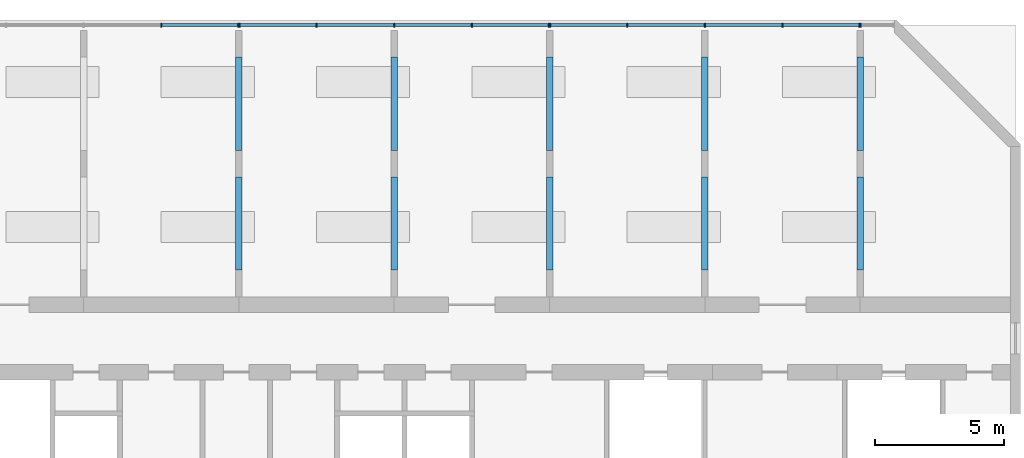
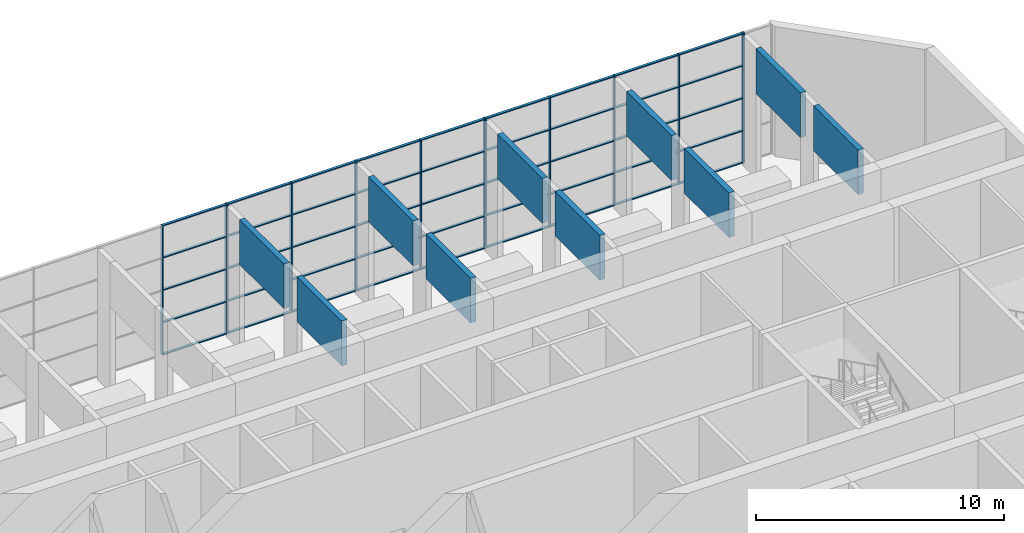
# One storey, part 2 of 13: 58 members, 10 beams, 4 elements without a shape of their own.
"""IFC4 building model written with IfcOpenShell, lengths in metres."""

import ifcopenshell
import ifcopenshell.guid

model = None  # the IFC model being written
_history = None  # IfcOwnerHistory: only IFC2X3 demands one
_inside = {}  # id of a spatial element -> (the spatial element, [elements in it])
_under = {}  # id of a project, library or spatial element -> (it, [spatial elements below it])
_declared = {}  # id of a project -> (the project, [libraries it declares])
_typed = {}  # id of a type object -> (the type object, [elements of that type])
_made_of = {}  # id of a material, layer set ... -> (it, [elements and type objects made of it])


def new_model(schema):
    """Start an empty IFC model of exactly this schema.

    Asked for "IFC4X3", IfcOpenShell would pick the latest addendum, in which some entities
    have other attributes; the version numbers below select the first issue.
    IFC2X3 requires an IfcOwnerHistory on every rooted entity: one is made here for all.
    """
    global model, _history
    if schema == "IFC4X3":
        model = ifcopenshell.file(schema_version=(4, 3, 0, 0))
    else:
        model = ifcopenshell.file(schema=schema)
    _inside.clear()
    _under.clear()
    _declared.clear()
    _typed.clear()
    _made_of.clear()
    _history = None
    if model.schema == "IFC2X3":
        org = make("IfcOrganization", Name="unknown")
        user = make(
            "IfcPersonAndOrganization",
            ThePerson=make("IfcPerson", FamilyName="unknown"),
            TheOrganization=org,
        )
        app = make(
            "IfcApplication",
            ApplicationDeveloper=org,
            Version="unknown",
            ApplicationFullName="unknown",
            ApplicationIdentifier="unknown",
        )
        _history = make(
            "IfcOwnerHistory",
            OwningUser=user,
            OwningApplication=app,
            ChangeAction="ADDED",
            CreationDate=0,
        )
    return model


def make(cls, **values):
    """One entity of the class cls with the attributes given. An attribute that is None is left unset."""
    return model.create_entity(
        cls, **{name: value for name, value in values.items() if value is not None}
    )


def rooted(cls, **values):
    """An entity with a GlobalId (a new one), such as an element, a storey or a relation."""
    return make(cls, GlobalId=ifcopenshell.guid.new(), OwnerHistory=_history, **values)


def si_unit(unit_type, name, prefix=None):
    """IfcSIUnit, for example si_unit("LENGTHUNIT", "METRE", prefix="MILLI")."""
    return make("IfcSIUnit", UnitType=unit_type, Prefix=prefix, Name=name)


def assignment(units):
    """IfcUnitAssignment: the units of a project."""
    return None if units is None else make("IfcUnitAssignment", Units=units)


def point(xyz):
    """IfcCartesianPoint."""
    return None if xyz is None else make("IfcCartesianPoint", Coordinates=xyz)


def direction(xyz):
    """IfcDirection."""
    return None if xyz is None else make("IfcDirection", DirectionRatios=xyz)


def frame(location, z_axis=None, x_axis=None):
    """IfcAxis2Placement3D, a coordinate frame: its origin and axes. An axis left out is left unset."""
    return make(
        "IfcAxis2Placement3D",
        Location=point(location),
        Axis=direction(z_axis),
        RefDirection=direction(x_axis),
    )


def frame_2d(location, x_axis=None):
    """IfcAxis2Placement2D, a coordinate frame in the plane: its origin and x axis."""
    return make(
        "IfcAxis2Placement2D", Location=point(location), RefDirection=direction(x_axis)
    )


def origin():
    """The frame at (0, 0, 0) with its axes left unset."""
    return frame((0.0, 0.0, 0.0))


def origin_2d():
    """The frame at (0, 0) in the plane with its x axis left unset."""
    return frame_2d((0.0, 0.0))


def place(relative_to, where):
    """IfcLocalPlacement: puts the frame where relative to a parent placement (None: the world)."""
    return make(
        "IfcLocalPlacement", PlacementRelTo=relative_to, RelativePlacement=where
    )


def context(
    kind, dimensions, precision=None, world=None, true_north=None, identifier=None
):
    """IfcGeometricRepresentationContext, for example the 3D "Model" context."""
    return make(
        "IfcGeometricRepresentationContext",
        ContextIdentifier=identifier,
        ContextType=kind,
        CoordinateSpaceDimension=dimensions,
        Precision=precision,
        WorldCoordinateSystem=world,
        TrueNorth=true_north,
    )


def subcontext(parent, identifier, kind, view, scale=None):
    """IfcGeometricRepresentationSubContext, for example "Body" below "Model"."""
    return make(
        "IfcGeometricRepresentationSubContext",
        ContextIdentifier=identifier,
        ContextType=kind,
        ParentContext=parent,
        TargetScale=scale,
        TargetView=view,
    )


def project(units=None, contexts=None):
    """IfcProject with its units and contexts."""
    return rooted(
        "IfcProject",
        Name="project",
        RepresentationContexts=contexts,
        UnitsInContext=assignment(units),
    )


def spatial(cls, under=None, at=None, **own):
    """A site, building, storey or space (cls), placed at a placement, below another one or the project."""
    s = rooted(cls, ObjectPlacement=at, **own)
    if under is not None:
        _under.setdefault(under.id(), (under, []))[1].append(s)
    return s


def profile(cls, at=None, kind="AREA", **sizes):
    """A parametric profile (cls). Its sizes go by their IFC names, for example OverallWidth=200.0."""
    return make(cls, ProfileType=kind, Position=at, **sizes)


def rectangle(**sizes):
    """IfcRectangleProfileDef."""
    return profile("IfcRectangleProfileDef", **sizes)


def extrude(swept, where, along, depth):
    """IfcExtrudedAreaSolid: the profile swept, set in the frame where, extruded along a direction by depth."""
    return make(
        "IfcExtrudedAreaSolid",
        SweptArea=swept,
        Position=where,
        ExtrudedDirection=direction(along),
        Depth=depth,
    )


def shape(context_of_items, identifier, shape_type, items):
    """IfcShapeRepresentation: the items that make up one representation, for example the "Body"."""
    return make(
        "IfcShapeRepresentation",
        ContextOfItems=context_of_items,
        RepresentationIdentifier=identifier,
        RepresentationType=shape_type,
        Items=items,
    )


def source(mapping_origin, context_of_items, identifier, shape_type, items):
    """IfcRepresentationMap: a shape defined once, which mapped items show again and again."""
    return make(
        "IfcRepresentationMap",
        MappingOrigin=mapping_origin,
        MappedRepresentation=shape(context_of_items, identifier, shape_type, items),
    )


def transform(
    local_origin,
    x_axis=None,
    y_axis=None,
    z_axis=None,
    scale=None,
    scale2=None,
    scale3=None,
    uniform=True,
):
    """IfcCartesianTransformationOperator3D, or its non-uniform kind. x_axis, y_axis, z_axis: its Axis1, 2, 3."""
    if uniform:
        return make(
            "IfcCartesianTransformationOperator3D",
            Axis1=direction(x_axis),
            Axis2=direction(y_axis),
            LocalOrigin=point(local_origin),
            Scale=scale,
            Axis3=direction(z_axis),
        )
    return make(
        "IfcCartesianTransformationOperator3DnonUniform",
        Axis1=direction(x_axis),
        Axis2=direction(y_axis),
        LocalOrigin=point(local_origin),
        Scale=scale,
        Axis3=direction(z_axis),
        Scale2=scale2,
        Scale3=scale3,
    )


def mapped(mapping_source, mapping_target):
    """IfcMappedItem: shows the shape of a source again, moved by a transform."""
    return make(
        "IfcMappedItem", MappingSource=mapping_source, MappingTarget=mapping_target
    )


def material(Name=None, Category=None):
    """IfcMaterial."""
    return make("IfcMaterial", Name=Name, Category=Category)


def layer(
    of_material, thickness, ventilated=None, Name=None, Category=None, Priority=None
):
    """IfcMaterialLayer: one layer of a wall or slab, of a material (None: an air gap)."""
    return make(
        "IfcMaterialLayer",
        Material=of_material,
        LayerThickness=thickness,
        IsVentilated=ventilated,
        Name=Name,
        Category=Category,
        Priority=Priority,
    )


def layer_set(layers, Name=None):
    """IfcMaterialLayerSet."""
    return make("IfcMaterialLayerSet", MaterialLayers=layers, LayerSetName=Name)


def material_profile(
    of_material, cross_section, Name=None, Category=None, Priority=None
):
    """IfcMaterialProfile: a cross section and its material."""
    return make(
        "IfcMaterialProfile",
        Name=Name,
        Material=of_material,
        Profile=cross_section,
        Priority=Priority,
        Category=Category,
    )


def profile_set(profiles, Name=None, composite=None):
    """IfcMaterialProfileSet."""
    return make(
        "IfcMaterialProfileSet",
        Name=Name,
        MaterialProfiles=profiles,
        CompositeProfile=composite,
    )


def made_of(thing, what):
    """Note that an element or type object is made of a material, layer set ...; save() writes the relation."""
    if what is not None:
        _made_of.setdefault(what.id(), (what, []))[1].append(thing)
    return thing


def type_object(cls, material=None, **own):
    """A type object (cls), such as IfcWallType, which elements share."""
    return made_of(rooted(cls, **own), material)


def element(
    cls,
    number,
    at=None,
    inside=None,
    cuts=None,
    type_object=None,
    material=None,
    context=None,
    identifier="Body",
    shape_type=None,
    held_by="IfcProductDefinitionShape",
    body=None,
    shapes=None,
    **own,
):
    """One element of the class cls, such as IfcWall. Its Tag is "e" and its number.

    at: its placement. inside: the storey or other place that contains it. cuts: it is an
    opening in that element (IfcRelVoidsElement). A single representation is given by context,
    identifier, shape_type and body (its items); several are given by shapes. held_by: the class
    of the entity that holds the representations. save() writes the other relations.
    """
    e = rooted(cls, Tag="e%d" % number, ObjectPlacement=at, **own)
    if body is not None:
        shapes = [shape(context, identifier, shape_type, body)]
    if shapes is not None:
        e.Representation = make(held_by, Representations=shapes)
    if inside is not None:
        _inside.setdefault(inside.id(), (inside, []))[1].append(e)
    if cuts is not None:
        rooted(
            "IfcRelVoidsElement", RelatingBuildingElement=cuts, RelatedOpeningElement=e
        )
    if type_object is not None:
        _typed.setdefault(type_object.id(), (type_object, []))[1].append(e)
    return made_of(e, material)


def aggregate(whole, parts):
    """IfcRelAggregates: a whole, such as a stair, and the parts it consists of."""
    return rooted("IfcRelAggregates", RelatingObject=whole, RelatedObjects=parts)


def save(model, path):
    """Write the relations noted so far, then the file.

    IfcRelAggregates (storeys below a building ...), IfcRelContainedInSpatialStructure (elements
    in a storey), IfcRelDefinesByType, IfcRelAssociatesMaterial and IfcRelDeclares: one each for
    every whole, place, type object, material and project.
    """
    for whole, parts in _under.values():
        aggregate(whole, parts)
    for where, things in _inside.values():
        rooted(
            "IfcRelContainedInSpatialStructure",
            RelatedElements=things,
            RelatingStructure=where,
        )
    for kind, things in _typed.values():
        rooted("IfcRelDefinesByType", RelatedObjects=things, RelatingType=kind)
    for what, things in _made_of.values():
        rooted("IfcRelAssociatesMaterial", RelatedObjects=things, RelatingMaterial=what)
    for by, libraries in _declared.values():
        rooted("IfcRelDeclares", RelatingContext=by, RelatedDefinitions=libraries)
    model.write(path)


model = new_model("IFC4")

# Units and contexts
model_context = context("Model", 3, precision=1e-05, world=origin(), true_north=direction((0.0, 1.0)))
body_context = subcontext(model_context, "Body", "Model", "MODEL_VIEW")
ifc_project = project(units=[si_unit("LENGTHUNIT", "METRE"), si_unit("AREAUNIT", "SQUARE_METRE"), si_unit("VOLUMEUNIT", "CUBIC_METRE"), si_unit("PLANEANGLEUNIT", "RADIAN"), si_unit("MASSUNIT", "GRAM", prefix="KILO")], contexts=[model_context])

# Site, building, storey
site_placement = place(None, origin())
site = spatial("IfcSite", under=ifc_project, at=site_placement, CompositionType="ELEMENT")
building_placement = place(site_placement, origin())
building = spatial("IfcBuilding", under=site, at=building_placement, Name="Poui Terraces", CompositionType="ELEMENT")
storey_placement = place(building_placement, frame((0.0, 0.0, 214.800048828125)))
storey = spatial("IfcBuildingStorey", under=building, at=storey_placement, Name="L60", CompositionType="ELEMENT", Elevation=214.800048828125)

# Curtain wall, members
ifc_material_1 = material(Name="Clear glass", Category="glass")
ifc_layer = layer(ifc_material_1, 0.159912109375)
ifc_layer_set = layer_set([ifc_layer], Name="Clear glass")
curtain_wall_type = type_object("IfcCurtainWallType", Name="CURTAIN WALL CW-D SKY GARDEN GLAZING", PredefinedType="NOTDEFINED", material=ifc_layer_set)
curtain_wall_1_placement = place(storey_placement, origin())
curtain_wall_1 = element("IfcCurtainWall", 1, at=curtain_wall_1_placement, inside=storey, type_object=curtain_wall_type, Name="CW-D SKY GARDEN GLAZING", PredefinedType="NOTDEFINED")
ifc_material_2 = material(Name="Aluminium frame", Category="aluminium")
ifc_material_profile_1 = material_profile(ifc_material_2, rectangle(XDim=0.159912109375, YDim=0.050048828125, at=origin_2d()), Name="CW-D MULLION 50X160")
ifc_profile_set_1 = profile_set([ifc_material_profile_1], Name="Aluminium frame")
member_type_1 = type_object("IfcMemberType", Name="CW-D MULLION 50X160", PredefinedType="MULLION", material=ifc_profile_set_1)
member_1_placement = place(storey_placement, frame((53.97509765625, 41.199951171875, 0.0), z_axis=(0.0, 0.0, 1.0), x_axis=(0.0, -1.0, 0.0)))
member_1 = element("IfcMember", 2, at=member_1_placement, type_object=member_type_1, Name="CW-D mullion 1", PredefinedType="MULLION", context=body_context, shape_type="SweptSolid", body=[
    extrude(rectangle(XDim=0.159912109375, YDim=0.050048828125, at=origin_2d()), origin(), (0.0, 0.0, 1.0), 6.3798828125),
])
member_2_placement = place(storey_placement, frame((51.0, 41.199951171875, 0.0), z_axis=(0.0, 0.0, 1.0), x_axis=(0.0, -1.0, 0.0)))
member_2 = element("IfcMember", 3, at=member_2_placement, type_object=member_type_1, Name="CW-D mullion 2", PredefinedType="MULLION", context=body_context, shape_type="SweptSolid", body=[
    extrude(rectangle(XDim=0.159912109375, YDim=0.050048828125, at=origin_2d()), origin(), (0.0, 0.0, 1.0), 6.3798828125),
])

curtain_wall_2_placement = place(storey_placement, origin())
curtain_wall_2 = element("IfcCurtainWall", 4, at=curtain_wall_2_placement, inside=storey, type_object=curtain_wall_type, Name="CW-D SKY GARDEN GLAZING", PredefinedType="NOTDEFINED")
member_3_placement = place(storey_placement, frame((65.97509765625, 41.199951171875, 0.0), z_axis=(0.0, 0.0, 1.0), x_axis=(0.0, -1.0, 0.0)))
member_3 = element("IfcMember", 5, at=member_3_placement, type_object=member_type_1, Name="CW-D mullion 1", PredefinedType="MULLION", context=body_context, shape_type="SweptSolid", body=[
    extrude(rectangle(XDim=0.159912109375, YDim=0.050048828125, at=origin_2d()), origin(), (0.0, 0.0, 1.0), 6.3798828125),
])
member_4_placement = place(storey_placement, frame((63.0, 41.199951171875, 0.0), z_axis=(0.0, 0.0, 1.0), x_axis=(0.0, -1.0, 0.0)))
member_4 = element("IfcMember", 6, at=member_4_placement, type_object=member_type_1, Name="CW-D mullion 2", PredefinedType="MULLION", context=body_context, shape_type="SweptSolid", body=[
    extrude(rectangle(XDim=0.159912109375, YDim=0.050048828125, at=origin_2d()), origin(), (0.0, 0.0, 1.0), 6.3798828125),
])
member_5_placement = place(storey_placement, frame((60.0, 41.199951171875, 0.0), z_axis=(0.0, 0.0, 1.0), x_axis=(0.0, -1.0, 0.0)))
member_5 = element("IfcMember", 7, at=member_5_placement, type_object=member_type_1, Name="CW-D mullion 3", PredefinedType="MULLION", context=body_context, shape_type="SweptSolid", body=[
    extrude(rectangle(XDim=0.159912109375, YDim=0.050048828125, at=origin_2d()), origin(), (0.0, 0.0, 1.0), 6.3798828125),
])
member_6_placement = place(storey_placement, frame((57.0, 41.199951171875, 0.0), z_axis=(0.0, 0.0, 1.0), x_axis=(0.0, -1.0, 0.0)))
member_6 = element("IfcMember", 8, at=member_6_placement, type_object=member_type_1, Name="CW-D mullion 4", PredefinedType="MULLION", context=body_context, shape_type="SweptSolid", body=[
    extrude(rectangle(XDim=0.159912109375, YDim=0.050048828125, at=origin_2d()), origin(), (0.0, 0.0, 1.0), 6.3798828125),
])
member_7_placement = place(storey_placement, frame((54.02490234375, 41.199951171875, 0.0), z_axis=(0.0, 0.0, 1.0), x_axis=(0.0, -1.0, 0.0)))
member_7 = element("IfcMember", 9, at=member_7_placement, type_object=member_type_1, Name="CW-D mullion 5", PredefinedType="MULLION", context=body_context, shape_type="SweptSolid", body=[
    extrude(rectangle(XDim=0.159912109375, YDim=0.050048828125, at=origin_2d()), origin(), (0.0, 0.0, 1.0), 6.3798828125),
])

curtain_wall_3_placement = place(storey_placement, origin())
curtain_wall_3 = element("IfcCurtainWall", 10, at=curtain_wall_3_placement, inside=storey, type_object=curtain_wall_type, Name="CW-D SKY GARDEN GLAZING", PredefinedType="NOTDEFINED")
member_8_placement = place(storey_placement, frame((77.97509765625, 41.199951171875, 0.0), z_axis=(0.0, 0.0, 1.0), x_axis=(0.0, -1.0, 0.0)))
member_8 = element("IfcMember", 11, at=member_8_placement, type_object=member_type_1, Name="CW-D mullion 1", PredefinedType="MULLION", context=body_context, shape_type="SweptSolid", body=[
    extrude(rectangle(XDim=0.159912109375, YDim=0.050048828125, at=origin_2d()), origin(), (0.0, 0.0, 1.0), 6.3798828125),
])
member_9_placement = place(storey_placement, frame((75.0, 41.199951171875, 0.0), z_axis=(0.0, 0.0, 1.0), x_axis=(0.0, -1.0, 0.0)))
member_9 = element("IfcMember", 12, at=member_9_placement, type_object=member_type_1, Name="CW-D mullion 2", PredefinedType="MULLION", context=body_context, shape_type="SweptSolid", body=[
    extrude(rectangle(XDim=0.159912109375, YDim=0.050048828125, at=origin_2d()), origin(), (0.0, 0.0, 1.0), 6.3798828125),
])
member_10_placement = place(storey_placement, frame((72.0, 41.199951171875, 0.0), z_axis=(0.0, 0.0, 1.0), x_axis=(0.0, -1.0, 0.0)))
member_10 = element("IfcMember", 13, at=member_10_placement, type_object=member_type_1, Name="CW-D mullion 3", PredefinedType="MULLION", context=body_context, shape_type="SweptSolid", body=[
    extrude(rectangle(XDim=0.159912109375, YDim=0.050048828125, at=origin_2d()), origin(), (0.0, 0.0, 1.0), 6.3798828125),
])
member_11_placement = place(storey_placement, frame((69.0, 41.199951171875, 0.0), z_axis=(0.0, 0.0, 1.0), x_axis=(0.0, -1.0, 0.0)))
member_11 = element("IfcMember", 14, at=member_11_placement, type_object=member_type_1, Name="CW-D mullion 4", PredefinedType="MULLION", context=body_context, shape_type="SweptSolid", body=[
    extrude(rectangle(XDim=0.159912109375, YDim=0.050048828125, at=origin_2d()), origin(), (0.0, 0.0, 1.0), 6.3798828125),
])
member_12_placement = place(storey_placement, frame((66.02490234375, 41.199951171875, 0.0), z_axis=(0.0, 0.0, 1.0), x_axis=(0.0, -1.0, 0.0)))
member_12 = element("IfcMember", 15, at=member_12_placement, type_object=member_type_1, Name="CW-D mullion 5", PredefinedType="MULLION", context=body_context, shape_type="SweptSolid", body=[
    extrude(rectangle(XDim=0.159912109375, YDim=0.050048828125, at=origin_2d()), origin(), (0.0, 0.0, 1.0), 6.3798828125),
])

# Curtain wall, member
curtain_wall_4_placement = place(storey_placement, origin())
curtain_wall_4 = element("IfcCurtainWall", 16, at=curtain_wall_4_placement, inside=storey, type_object=curtain_wall_type, Name="CW-D SKY GARDEN GLAZING", PredefinedType="NOTDEFINED")
member_13_placement = place(storey_placement, frame((78.02490234375, 41.199951171875, 0.0), z_axis=(0.0, 0.0, 1.0), x_axis=(0.0, -1.0, 0.0)))
member_13 = element("IfcMember", 17, at=member_13_placement, type_object=member_type_1, Name="CW-D mullion 2", PredefinedType="MULLION", context=body_context, shape_type="SweptSolid", body=[
    extrude(rectangle(XDim=0.159912109375, YDim=0.050048828125, at=origin_2d()), origin(), (0.0, 0.0, 1.0), 6.3798828125),
])
aggregate(curtain_wall_4, [member_13])

# Member
ifc_material_profile_2 = material_profile(ifc_material_2, rectangle(XDim=0.1201171875, YDim=0.050048828125, at=origin_2d()), Name="CW-D TRANSOM 50X120")
ifc_profile_set_2 = profile_set([ifc_material_profile_2], Name="Aluminium frame")
member_type_2 = type_object("IfcMemberType", Name="CW-D TRANSOM 50X120", PredefinedType="USERDEFINED", material=ifc_profile_set_2)
member_14_placement = place(storey_placement, frame((53.949951171875, 41.199951171875, 0.02490234375), z_axis=(-1.0, 0.0, 0.0), x_axis=(0.0, -1.0, 0.0)))
member_14 = element("IfcMember", 18, at=member_14_placement, type_object=member_type_2, Name="CW-D transom 1.1", ObjectType="TRANSOM", PredefinedType="USERDEFINED", context=body_context, shape_type="SweptSolid", body=[
    extrude(rectangle(XDim=0.1201171875, YDim=0.050048828125, at=origin_2d()), origin(), (0.0, 0.0, 1.0), 2.925048828125),
])

member_15_placement = place(storey_placement, frame((53.949951171875, 41.199951171875, 1.594970703125), z_axis=(-1.0, 0.0, 0.0), x_axis=(0.0, -1.0, 0.0)))
member_15 = element("IfcMember", 19, at=member_15_placement, type_object=member_type_2, Name="CW-D transom 1.2", ObjectType="TRANSOM", PredefinedType="USERDEFINED", context=body_context, shape_type="SweptSolid", body=[
    extrude(rectangle(XDim=0.1201171875, YDim=0.050048828125, at=origin_2d()), origin(), (0.0, 0.0, 1.0), 2.925048828125),
])

member_16_placement = place(storey_placement, frame((53.949951171875, 41.199951171875, 3.18994140625), z_axis=(-1.0, 0.0, 0.0), x_axis=(0.0, -1.0, 0.0)))
member_16 = element("IfcMember", 20, at=member_16_placement, type_object=member_type_2, Name="CW-D transom 1.3", ObjectType="TRANSOM", PredefinedType="USERDEFINED", context=body_context, shape_type="SweptSolid", body=[
    extrude(rectangle(XDim=0.1201171875, YDim=0.050048828125, at=origin_2d()), origin(), (0.0, 0.0, 1.0), 2.925048828125),
])

member_17_placement = place(storey_placement, frame((53.949951171875, 41.199951171875, 4.784912109375), z_axis=(-1.0, 0.0, 0.0), x_axis=(0.0, -1.0, 0.0)))
member_17 = element("IfcMember", 21, at=member_17_placement, type_object=member_type_2, Name="CW-D transom 1.4", ObjectType="TRANSOM", PredefinedType="USERDEFINED", context=body_context, shape_type="SweptSolid", body=[
    extrude(rectangle(XDim=0.1201171875, YDim=0.050048828125, at=origin_2d()), origin(), (0.0, 0.0, 1.0), 2.925048828125),
])

member_18_placement = place(storey_placement, frame((53.949951171875, 41.199951171875, 6.35498046875), z_axis=(-1.0, 0.0, 0.0), x_axis=(0.0, -1.0, 0.0)))
member_18 = element("IfcMember", 22, at=member_18_placement, type_object=member_type_2, Name="CW-D transom 1.5", ObjectType="TRANSOM", PredefinedType="USERDEFINED", context=body_context, shape_type="SweptSolid", body=[
    extrude(rectangle(XDim=0.1201171875, YDim=0.050048828125, at=origin_2d()), origin(), (0.0, 0.0, 1.0), 2.925048828125),
])

aggregate(curtain_wall_1, [member_1, member_2, member_14, member_15, member_16, member_17, member_18])

member_19_placement = place(storey_placement, frame((65.949951171875, 41.199951171875, 0.02490234375), z_axis=(-1.0, 0.0, 0.0), x_axis=(0.0, -1.0, 0.0)))
member_19 = element("IfcMember", 23, at=member_19_placement, type_object=member_type_2, Name="CW-D transom 1.1", ObjectType="TRANSOM", PredefinedType="USERDEFINED", context=body_context, shape_type="SweptSolid", body=[
    extrude(rectangle(XDim=0.1201171875, YDim=0.050048828125, at=origin_2d()), origin(), (0.0, 0.0, 1.0), 2.925048828125),
])

member_20_placement = place(storey_placement, frame((65.949951171875, 41.199951171875, 1.594970703125), z_axis=(-1.0, 0.0, 0.0), x_axis=(0.0, -1.0, 0.0)))
member_20 = element("IfcMember", 24, at=member_20_placement, type_object=member_type_2, Name="CW-D transom 1.2", ObjectType="TRANSOM", PredefinedType="USERDEFINED", context=body_context, shape_type="SweptSolid", body=[
    extrude(rectangle(XDim=0.1201171875, YDim=0.050048828125, at=origin_2d()), origin(), (0.0, 0.0, 1.0), 2.925048828125),
])

member_21_placement = place(storey_placement, frame((65.949951171875, 41.199951171875, 3.18994140625), z_axis=(-1.0, 0.0, 0.0), x_axis=(0.0, -1.0, 0.0)))
member_21 = element("IfcMember", 25, at=member_21_placement, type_object=member_type_2, Name="CW-D transom 1.3", ObjectType="TRANSOM", PredefinedType="USERDEFINED", context=body_context, shape_type="SweptSolid", body=[
    extrude(rectangle(XDim=0.1201171875, YDim=0.050048828125, at=origin_2d()), origin(), (0.0, 0.0, 1.0), 2.925048828125),
])

member_22_placement = place(storey_placement, frame((65.949951171875, 41.199951171875, 4.784912109375), z_axis=(-1.0, 0.0, 0.0), x_axis=(0.0, -1.0, 0.0)))
member_22 = element("IfcMember", 26, at=member_22_placement, type_object=member_type_2, Name="CW-D transom 1.4", ObjectType="TRANSOM", PredefinedType="USERDEFINED", context=body_context, shape_type="SweptSolid", body=[
    extrude(rectangle(XDim=0.1201171875, YDim=0.050048828125, at=origin_2d()), origin(), (0.0, 0.0, 1.0), 2.925048828125),
])

member_23_placement = place(storey_placement, frame((65.949951171875, 41.199951171875, 6.35498046875), z_axis=(-1.0, 0.0, 0.0), x_axis=(0.0, -1.0, 0.0)))
member_23 = element("IfcMember", 27, at=member_23_placement, type_object=member_type_2, Name="CW-D transom 1.5", ObjectType="TRANSOM", PredefinedType="USERDEFINED", context=body_context, shape_type="SweptSolid", body=[
    extrude(rectangle(XDim=0.1201171875, YDim=0.050048828125, at=origin_2d()), origin(), (0.0, 0.0, 1.0), 2.925048828125),
])

member_24_placement = place(storey_placement, frame((62.97509765625, 41.199951171875, 0.02490234375), z_axis=(-1.0, 0.0, 0.0), x_axis=(0.0, -1.0, 0.0)))
member_24 = element("IfcMember", 28, at=member_24_placement, type_object=member_type_2, Name="CW-D transom 2.1", ObjectType="TRANSOM", PredefinedType="USERDEFINED", context=body_context, shape_type="SweptSolid", body=[
    extrude(rectangle(XDim=0.1201171875, YDim=0.050048828125, at=origin_2d()), origin(), (0.0, 0.0, 1.0), 2.9501953125),
])

member_25_placement = place(storey_placement, frame((62.97509765625, 41.199951171875, 1.594970703125), z_axis=(-1.0, 0.0, 0.0), x_axis=(0.0, -1.0, 0.0)))
member_25 = element("IfcMember", 29, at=member_25_placement, type_object=member_type_2, Name="CW-D transom 2.2", ObjectType="TRANSOM", PredefinedType="USERDEFINED", context=body_context, shape_type="SweptSolid", body=[
    extrude(rectangle(XDim=0.1201171875, YDim=0.050048828125, at=origin_2d()), origin(), (0.0, 0.0, 1.0), 2.9501953125),
])

member_26_placement = place(storey_placement, frame((62.97509765625, 41.199951171875, 3.18994140625), z_axis=(-1.0, 0.0, 0.0), x_axis=(0.0, -1.0, 0.0)))
member_26 = element("IfcMember", 30, at=member_26_placement, type_object=member_type_2, Name="CW-D transom 2.3", ObjectType="TRANSOM", PredefinedType="USERDEFINED", context=body_context, shape_type="SweptSolid", body=[
    extrude(rectangle(XDim=0.1201171875, YDim=0.050048828125, at=origin_2d()), origin(), (0.0, 0.0, 1.0), 2.9501953125),
])

member_27_placement = place(storey_placement, frame((62.97509765625, 41.199951171875, 4.784912109375), z_axis=(-1.0, 0.0, 0.0), x_axis=(0.0, -1.0, 0.0)))
member_27 = element("IfcMember", 31, at=member_27_placement, type_object=member_type_2, Name="CW-D transom 2.4", ObjectType="TRANSOM", PredefinedType="USERDEFINED", context=body_context, shape_type="SweptSolid", body=[
    extrude(rectangle(XDim=0.1201171875, YDim=0.050048828125, at=origin_2d()), origin(), (0.0, 0.0, 1.0), 2.9501953125),
])

member_28_placement = place(storey_placement, frame((62.97509765625, 41.199951171875, 6.35498046875), z_axis=(-1.0, 0.0, 0.0), x_axis=(0.0, -1.0, 0.0)))
member_28 = element("IfcMember", 32, at=member_28_placement, type_object=member_type_2, Name="CW-D transom 2.5", ObjectType="TRANSOM", PredefinedType="USERDEFINED", context=body_context, shape_type="SweptSolid", body=[
    extrude(rectangle(XDim=0.1201171875, YDim=0.050048828125, at=origin_2d()), origin(), (0.0, 0.0, 1.0), 2.9501953125),
])

member_29_placement = place(storey_placement, frame((59.97509765625, 41.199951171875, 0.02490234375), z_axis=(-1.0, 0.0, 0.0), x_axis=(0.0, -1.0, 0.0)))
member_29 = element("IfcMember", 33, at=member_29_placement, type_object=member_type_2, Name="CW-D transom 3.1", ObjectType="TRANSOM", PredefinedType="USERDEFINED", context=body_context, shape_type="SweptSolid", body=[
    extrude(rectangle(XDim=0.1201171875, YDim=0.050048828125, at=origin_2d()), origin(), (0.0, 0.0, 1.0), 2.9501953125),
])

member_30_placement = place(storey_placement, frame((59.97509765625, 41.199951171875, 1.594970703125), z_axis=(-1.0, 0.0, 0.0), x_axis=(0.0, -1.0, 0.0)))
member_30 = element("IfcMember", 34, at=member_30_placement, type_object=member_type_2, Name="CW-D transom 3.2", ObjectType="TRANSOM", PredefinedType="USERDEFINED", context=body_context, shape_type="SweptSolid", body=[
    extrude(rectangle(XDim=0.1201171875, YDim=0.050048828125, at=origin_2d()), origin(), (0.0, 0.0, 1.0), 2.9501953125),
])

member_31_placement = place(storey_placement, frame((59.97509765625, 41.199951171875, 3.18994140625), z_axis=(-1.0, 0.0, 0.0), x_axis=(0.0, -1.0, 0.0)))
member_31 = element("IfcMember", 35, at=member_31_placement, type_object=member_type_2, Name="CW-D transom 3.3", ObjectType="TRANSOM", PredefinedType="USERDEFINED", context=body_context, shape_type="SweptSolid", body=[
    extrude(rectangle(XDim=0.1201171875, YDim=0.050048828125, at=origin_2d()), origin(), (0.0, 0.0, 1.0), 2.9501953125),
])

member_32_placement = place(storey_placement, frame((59.97509765625, 41.199951171875, 4.784912109375), z_axis=(-1.0, 0.0, 0.0), x_axis=(0.0, -1.0, 0.0)))
member_32 = element("IfcMember", 36, at=member_32_placement, type_object=member_type_2, Name="CW-D transom 3.4", ObjectType="TRANSOM", PredefinedType="USERDEFINED", context=body_context, shape_type="SweptSolid", body=[
    extrude(rectangle(XDim=0.1201171875, YDim=0.050048828125, at=origin_2d()), origin(), (0.0, 0.0, 1.0), 2.9501953125),
])

member_33_placement = place(storey_placement, frame((59.97509765625, 41.199951171875, 6.35498046875), z_axis=(-1.0, 0.0, 0.0), x_axis=(0.0, -1.0, 0.0)))
member_33 = element("IfcMember", 37, at=member_33_placement, type_object=member_type_2, Name="CW-D transom 3.5", ObjectType="TRANSOM", PredefinedType="USERDEFINED", context=body_context, shape_type="SweptSolid", body=[
    extrude(rectangle(XDim=0.1201171875, YDim=0.050048828125, at=origin_2d()), origin(), (0.0, 0.0, 1.0), 2.9501953125),
])

member_34_placement = place(storey_placement, frame((56.97509765625, 41.199951171875, 0.02490234375), z_axis=(-1.0, 0.0, 0.0), x_axis=(0.0, -1.0, 0.0)))
member_34 = element("IfcMember", 38, at=member_34_placement, type_object=member_type_2, Name="CW-D transom 4.1", ObjectType="TRANSOM", PredefinedType="USERDEFINED", context=body_context, shape_type="SweptSolid", body=[
    extrude(rectangle(XDim=0.1201171875, YDim=0.050048828125, at=origin_2d()), origin(), (0.0, 0.0, 1.0), 2.925048828125),
])

member_35_placement = place(storey_placement, frame((56.97509765625, 41.199951171875, 1.594970703125), z_axis=(-1.0, 0.0, 0.0), x_axis=(0.0, -1.0, 0.0)))
member_35 = element("IfcMember", 39, at=member_35_placement, type_object=member_type_2, Name="CW-D transom 4.2", ObjectType="TRANSOM", PredefinedType="USERDEFINED", context=body_context, shape_type="SweptSolid", body=[
    extrude(rectangle(XDim=0.1201171875, YDim=0.050048828125, at=origin_2d()), origin(), (0.0, 0.0, 1.0), 2.925048828125),
])

member_36_placement = place(storey_placement, frame((56.97509765625, 41.199951171875, 3.18994140625), z_axis=(-1.0, 0.0, 0.0), x_axis=(0.0, -1.0, 0.0)))
member_36 = element("IfcMember", 40, at=member_36_placement, type_object=member_type_2, Name="CW-D transom 4.3", ObjectType="TRANSOM", PredefinedType="USERDEFINED", context=body_context, shape_type="SweptSolid", body=[
    extrude(rectangle(XDim=0.1201171875, YDim=0.050048828125, at=origin_2d()), origin(), (0.0, 0.0, 1.0), 2.925048828125),
])

member_37_placement = place(storey_placement, frame((56.97509765625, 41.199951171875, 4.784912109375), z_axis=(-1.0, 0.0, 0.0), x_axis=(0.0, -1.0, 0.0)))
member_37 = element("IfcMember", 41, at=member_37_placement, type_object=member_type_2, Name="CW-D transom 4.4", ObjectType="TRANSOM", PredefinedType="USERDEFINED", context=body_context, shape_type="SweptSolid", body=[
    extrude(rectangle(XDim=0.1201171875, YDim=0.050048828125, at=origin_2d()), origin(), (0.0, 0.0, 1.0), 2.925048828125),
])

member_38_placement = place(storey_placement, frame((56.97509765625, 41.199951171875, 6.35498046875), z_axis=(-1.0, 0.0, 0.0), x_axis=(0.0, -1.0, 0.0)))
member_38 = element("IfcMember", 42, at=member_38_placement, type_object=member_type_2, Name="CW-D transom 4.5", ObjectType="TRANSOM", PredefinedType="USERDEFINED", context=body_context, shape_type="SweptSolid", body=[
    extrude(rectangle(XDim=0.1201171875, YDim=0.050048828125, at=origin_2d()), origin(), (0.0, 0.0, 1.0), 2.925048828125),
])

aggregate(curtain_wall_2, [member_3, member_4, member_5, member_6, member_7, member_19, member_20, member_21, member_22, member_23, member_24, member_25, member_26, member_27, member_28, member_29, member_30, member_31, member_32, member_33, member_34, member_35, member_36, member_37, member_38])

member_39_placement = place(storey_placement, frame((77.949951171875, 41.199951171875, 0.02490234375), z_axis=(-1.0, 0.0, 0.0), x_axis=(0.0, -1.0, 0.0)))
member_39 = element("IfcMember", 43, at=member_39_placement, type_object=member_type_2, Name="CW-D transom 1.1", ObjectType="TRANSOM", PredefinedType="USERDEFINED", context=body_context, shape_type="SweptSolid", body=[
    extrude(rectangle(XDim=0.1201171875, YDim=0.050048828125, at=origin_2d()), origin(), (0.0, 0.0, 1.0), 2.925048828125),
])

member_40_placement = place(storey_placement, frame((77.949951171875, 41.199951171875, 1.594970703125), z_axis=(-1.0, 0.0, 0.0), x_axis=(0.0, -1.0, 0.0)))
member_40 = element("IfcMember", 44, at=member_40_placement, type_object=member_type_2, Name="CW-D transom 1.2", ObjectType="TRANSOM", PredefinedType="USERDEFINED", context=body_context, shape_type="SweptSolid", body=[
    extrude(rectangle(XDim=0.1201171875, YDim=0.050048828125, at=origin_2d()), origin(), (0.0, 0.0, 1.0), 2.925048828125),
])

member_41_placement = place(storey_placement, frame((77.949951171875, 41.199951171875, 3.18994140625), z_axis=(-1.0, 0.0, 0.0), x_axis=(0.0, -1.0, 0.0)))
member_41 = element("IfcMember", 45, at=member_41_placement, type_object=member_type_2, Name="CW-D transom 1.3", ObjectType="TRANSOM", PredefinedType="USERDEFINED", context=body_context, shape_type="SweptSolid", body=[
    extrude(rectangle(XDim=0.1201171875, YDim=0.050048828125, at=origin_2d()), origin(), (0.0, 0.0, 1.0), 2.925048828125),
])

member_42_placement = place(storey_placement, frame((77.949951171875, 41.199951171875, 4.784912109375), z_axis=(-1.0, 0.0, 0.0), x_axis=(0.0, -1.0, 0.0)))
member_42 = element("IfcMember", 46, at=member_42_placement, type_object=member_type_2, Name="CW-D transom 1.4", ObjectType="TRANSOM", PredefinedType="USERDEFINED", context=body_context, shape_type="SweptSolid", body=[
    extrude(rectangle(XDim=0.1201171875, YDim=0.050048828125, at=origin_2d()), origin(), (0.0, 0.0, 1.0), 2.925048828125),
])

member_43_placement = place(storey_placement, frame((77.949951171875, 41.199951171875, 6.35498046875), z_axis=(-1.0, 0.0, 0.0), x_axis=(0.0, -1.0, 0.0)))
member_43 = element("IfcMember", 47, at=member_43_placement, type_object=member_type_2, Name="CW-D transom 1.5", ObjectType="TRANSOM", PredefinedType="USERDEFINED", context=body_context, shape_type="SweptSolid", body=[
    extrude(rectangle(XDim=0.1201171875, YDim=0.050048828125, at=origin_2d()), origin(), (0.0, 0.0, 1.0), 2.925048828125),
])

member_44_placement = place(storey_placement, frame((74.97509765625, 41.199951171875, 0.02490234375), z_axis=(-1.0, 0.0, 0.0), x_axis=(0.0, -1.0, 0.0)))
member_44 = element("IfcMember", 48, at=member_44_placement, type_object=member_type_2, Name="CW-D transom 2.1", ObjectType="TRANSOM", PredefinedType="USERDEFINED", context=body_context, shape_type="SweptSolid", body=[
    extrude(rectangle(XDim=0.1201171875, YDim=0.050048828125, at=origin_2d()), origin(), (0.0, 0.0, 1.0), 2.9501953125),
])

member_45_placement = place(storey_placement, frame((74.97509765625, 41.199951171875, 1.594970703125), z_axis=(-1.0, 0.0, 0.0), x_axis=(0.0, -1.0, 0.0)))
member_45 = element("IfcMember", 49, at=member_45_placement, type_object=member_type_2, Name="CW-D transom 2.2", ObjectType="TRANSOM", PredefinedType="USERDEFINED", context=body_context, shape_type="SweptSolid", body=[
    extrude(rectangle(XDim=0.1201171875, YDim=0.050048828125, at=origin_2d()), origin(), (0.0, 0.0, 1.0), 2.9501953125),
])

member_46_placement = place(storey_placement, frame((74.97509765625, 41.199951171875, 3.18994140625), z_axis=(-1.0, 0.0, 0.0), x_axis=(0.0, -1.0, 0.0)))
member_46 = element("IfcMember", 50, at=member_46_placement, type_object=member_type_2, Name="CW-D transom 2.3", ObjectType="TRANSOM", PredefinedType="USERDEFINED", context=body_context, shape_type="SweptSolid", body=[
    extrude(rectangle(XDim=0.1201171875, YDim=0.050048828125, at=origin_2d()), origin(), (0.0, 0.0, 1.0), 2.9501953125),
])

member_47_placement = place(storey_placement, frame((74.97509765625, 41.199951171875, 4.784912109375), z_axis=(-1.0, 0.0, 0.0), x_axis=(0.0, -1.0, 0.0)))
member_47 = element("IfcMember", 51, at=member_47_placement, type_object=member_type_2, Name="CW-D transom 2.4", ObjectType="TRANSOM", PredefinedType="USERDEFINED", context=body_context, shape_type="SweptSolid", body=[
    extrude(rectangle(XDim=0.1201171875, YDim=0.050048828125, at=origin_2d()), origin(), (0.0, 0.0, 1.0), 2.9501953125),
])

member_48_placement = place(storey_placement, frame((74.97509765625, 41.199951171875, 6.35498046875), z_axis=(-1.0, 0.0, 0.0), x_axis=(0.0, -1.0, 0.0)))
member_48 = element("IfcMember", 52, at=member_48_placement, type_object=member_type_2, Name="CW-D transom 2.5", ObjectType="TRANSOM", PredefinedType="USERDEFINED", context=body_context, shape_type="SweptSolid", body=[
    extrude(rectangle(XDim=0.1201171875, YDim=0.050048828125, at=origin_2d()), origin(), (0.0, 0.0, 1.0), 2.9501953125),
])

member_49_placement = place(storey_placement, frame((71.97509765625, 41.199951171875, 0.02490234375), z_axis=(-1.0, 0.0, 0.0), x_axis=(0.0, -1.0, 0.0)))
member_49 = element("IfcMember", 53, at=member_49_placement, type_object=member_type_2, Name="CW-D transom 3.1", ObjectType="TRANSOM", PredefinedType="USERDEFINED", context=body_context, shape_type="SweptSolid", body=[
    extrude(rectangle(XDim=0.1201171875, YDim=0.050048828125, at=origin_2d()), origin(), (0.0, 0.0, 1.0), 2.9501953125),
])

member_50_placement = place(storey_placement, frame((71.97509765625, 41.199951171875, 1.594970703125), z_axis=(-1.0, 0.0, 0.0), x_axis=(0.0, -1.0, 0.0)))
member_50 = element("IfcMember", 54, at=member_50_placement, type_object=member_type_2, Name="CW-D transom 3.2", ObjectType="TRANSOM", PredefinedType="USERDEFINED", context=body_context, shape_type="SweptSolid", body=[
    extrude(rectangle(XDim=0.1201171875, YDim=0.050048828125, at=origin_2d()), origin(), (0.0, 0.0, 1.0), 2.9501953125),
])

member_51_placement = place(storey_placement, frame((71.97509765625, 41.199951171875, 3.18994140625), z_axis=(-1.0, 0.0, 0.0), x_axis=(0.0, -1.0, 0.0)))
member_51 = element("IfcMember", 55, at=member_51_placement, type_object=member_type_2, Name="CW-D transom 3.3", ObjectType="TRANSOM", PredefinedType="USERDEFINED", context=body_context, shape_type="SweptSolid", body=[
    extrude(rectangle(XDim=0.1201171875, YDim=0.050048828125, at=origin_2d()), origin(), (0.0, 0.0, 1.0), 2.9501953125),
])

member_52_placement = place(storey_placement, frame((71.97509765625, 41.199951171875, 4.784912109375), z_axis=(-1.0, 0.0, 0.0), x_axis=(0.0, -1.0, 0.0)))
member_52 = element("IfcMember", 56, at=member_52_placement, type_object=member_type_2, Name="CW-D transom 3.4", ObjectType="TRANSOM", PredefinedType="USERDEFINED", context=body_context, shape_type="SweptSolid", body=[
    extrude(rectangle(XDim=0.1201171875, YDim=0.050048828125, at=origin_2d()), origin(), (0.0, 0.0, 1.0), 2.9501953125),
])

member_53_placement = place(storey_placement, frame((71.97509765625, 41.199951171875, 6.35498046875), z_axis=(-1.0, 0.0, 0.0), x_axis=(0.0, -1.0, 0.0)))
member_53 = element("IfcMember", 57, at=member_53_placement, type_object=member_type_2, Name="CW-D transom 3.5", ObjectType="TRANSOM", PredefinedType="USERDEFINED", context=body_context, shape_type="SweptSolid", body=[
    extrude(rectangle(XDim=0.1201171875, YDim=0.050048828125, at=origin_2d()), origin(), (0.0, 0.0, 1.0), 2.9501953125),
])

member_54_placement = place(storey_placement, frame((68.97509765625, 41.199951171875, 0.02490234375), z_axis=(-1.0, 0.0, 0.0), x_axis=(0.0, -1.0, 0.0)))
member_54 = element("IfcMember", 58, at=member_54_placement, type_object=member_type_2, Name="CW-D transom 4.1", ObjectType="TRANSOM", PredefinedType="USERDEFINED", context=body_context, shape_type="SweptSolid", body=[
    extrude(rectangle(XDim=0.1201171875, YDim=0.050048828125, at=origin_2d()), origin(), (0.0, 0.0, 1.0), 2.925048828125),
])

member_55_placement = place(storey_placement, frame((68.97509765625, 41.199951171875, 1.594970703125), z_axis=(-1.0, 0.0, 0.0), x_axis=(0.0, -1.0, 0.0)))
member_55 = element("IfcMember", 59, at=member_55_placement, type_object=member_type_2, Name="CW-D transom 4.2", ObjectType="TRANSOM", PredefinedType="USERDEFINED", context=body_context, shape_type="SweptSolid", body=[
    extrude(rectangle(XDim=0.1201171875, YDim=0.050048828125, at=origin_2d()), origin(), (0.0, 0.0, 1.0), 2.925048828125),
])

member_56_placement = place(storey_placement, frame((68.97509765625, 41.199951171875, 3.18994140625), z_axis=(-1.0, 0.0, 0.0), x_axis=(0.0, -1.0, 0.0)))
member_56 = element("IfcMember", 60, at=member_56_placement, type_object=member_type_2, Name="CW-D transom 4.3", ObjectType="TRANSOM", PredefinedType="USERDEFINED", context=body_context, shape_type="SweptSolid", body=[
    extrude(rectangle(XDim=0.1201171875, YDim=0.050048828125, at=origin_2d()), origin(), (0.0, 0.0, 1.0), 2.925048828125),
])

member_57_placement = place(storey_placement, frame((68.97509765625, 41.199951171875, 4.784912109375), z_axis=(-1.0, 0.0, 0.0), x_axis=(0.0, -1.0, 0.0)))
member_57 = element("IfcMember", 61, at=member_57_placement, type_object=member_type_2, Name="CW-D transom 4.4", ObjectType="TRANSOM", PredefinedType="USERDEFINED", context=body_context, shape_type="SweptSolid", body=[
    extrude(rectangle(XDim=0.1201171875, YDim=0.050048828125, at=origin_2d()), origin(), (0.0, 0.0, 1.0), 2.925048828125),
])

member_58_placement = place(storey_placement, frame((68.97509765625, 41.199951171875, 6.35498046875), z_axis=(-1.0, 0.0, 0.0), x_axis=(0.0, -1.0, 0.0)))
member_58 = element("IfcMember", 62, at=member_58_placement, type_object=member_type_2, Name="CW-D transom 4.5", ObjectType="TRANSOM", PredefinedType="USERDEFINED", context=body_context, shape_type="SweptSolid", body=[
    extrude(rectangle(XDim=0.1201171875, YDim=0.050048828125, at=origin_2d()), origin(), (0.0, 0.0, 1.0), 2.925048828125),
])

aggregate(curtain_wall_3, [member_8, member_9, member_10, member_11, member_12, member_39, member_40, member_41, member_42, member_43, member_44, member_45, member_46, member_47, member_48, member_49, member_50, member_51, member_52, member_53, member_54, member_55, member_56, member_57, member_58])

# Beams
ifc_material_3 = material(Name="Concrete 50 MPa", Category="concrete")
ifc_material_profile_3 = material_profile(ifc_material_3, rectangle(XDim=0.25, YDim=2.199951171875, at=origin_2d()), Name="RC 250x2200")
ifc_profile_set_3 = profile_set([ifc_material_profile_3], Name="Concrete 50 MPa")
beam_type = type_object("IfcBeamType", Name="DEEP BEAM 250x2200 50MPa", PredefinedType="BEAM", material=ifc_profile_set_3)
shared_shape_1 = source(origin(), body_context, "Body", "SweptSolid", [
    extrude(rectangle(XDim=0.25, YDim=2.199951171875, at=origin_2d()), origin(), (0.0, 0.0, 1.0), 3.599853515625),
])
for number, where, z_axis, x_axis, name in (
    (63, (54.0, 31.7333984375, 5.280029296875), (0.0, 1.0, 0.0), (-1.0, 0.0, 0.0), "DEEP BEAM LINE 10 1"),
    (64, (60.0, 31.7333984375, 5.280029296875), (0.0, 1.0, 0.0), (-1.0, 0.0, 0.0), "DEEP BEAM LINE 11 1"),
    (65, (66.0, 31.7333984375, 5.280029296875), (0.0, 1.0, 0.0), (-1.0, 0.0, 0.0), "DEEP BEAM LINE 12 1"),
    (66, (72.0, 31.7333984375, 5.280029296875), (0.0, 1.0, 0.0), (-1.0, 0.0, 0.0), "DEEP BEAM LINE 13 1"),
    (67, (78.0, 31.7333984375, 5.280029296875), (0.0, 1.0, 0.0), (-1.0, 0.0, 0.0), "DEEP BEAM LINE 14 1"),
):
    element("IfcBeam", number, at=place(storey_placement, frame(where, z_axis=z_axis, x_axis=x_axis)), inside=storey, type_object=beam_type, Name=name, PredefinedType="BEAM", context=body_context, shape_type="MappedRepresentation", body=[
        mapped(shared_shape_1, transform((0.0, 0.0, 0.0))),
    ])
shared_shape_2 = source(origin(), body_context, "Body", "SweptSolid", [
    extrude(rectangle(XDim=0.25, YDim=2.199951171875, at=origin_2d()), origin(), (0.0, 0.0, 1.0), 3.60009765625),
])
for number, where, z_axis, x_axis, name in (
    (68, (54.0, 36.36669921875, 5.280029296875), (0.0, 1.0, 0.0), (-1.0, 0.0, 0.0), "DEEP BEAM LINE 10 2"),
    (69, (60.0, 36.36669921875, 5.280029296875), (0.0, 1.0, 0.0), (-1.0, 0.0, 0.0), "DEEP BEAM LINE 11 2"),
    (70, (66.0, 36.36669921875, 5.280029296875), (0.0, 1.0, 0.0), (-1.0, 0.0, 0.0), "DEEP BEAM LINE 12 2"),
    (71, (72.0, 36.36669921875, 5.280029296875), (0.0, 1.0, 0.0), (-1.0, 0.0, 0.0), "DEEP BEAM LINE 13 2"),
    (72, (78.0, 36.36669921875, 5.280029296875), (0.0, 1.0, 0.0), (-1.0, 0.0, 0.0), "DEEP BEAM LINE 14 2"),
):
    element("IfcBeam", number, at=place(storey_placement, frame(where, z_axis=z_axis, x_axis=x_axis)), inside=storey, type_object=beam_type, Name=name, PredefinedType="BEAM", context=body_context, shape_type="MappedRepresentation", body=[
        mapped(shared_shape_2, transform((0.0, 0.0, 0.0))),
    ])

save(model, "model.ifc")
